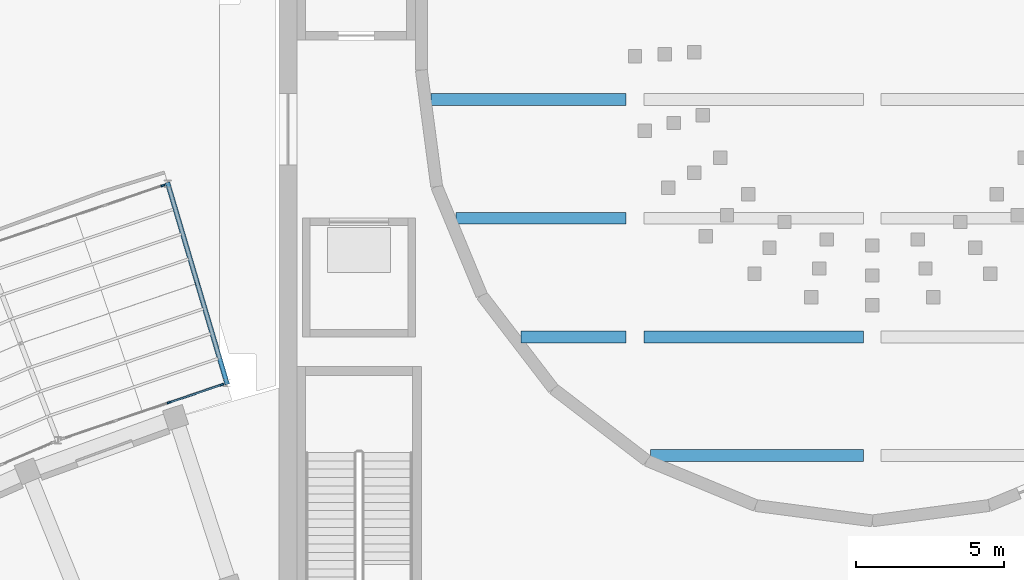
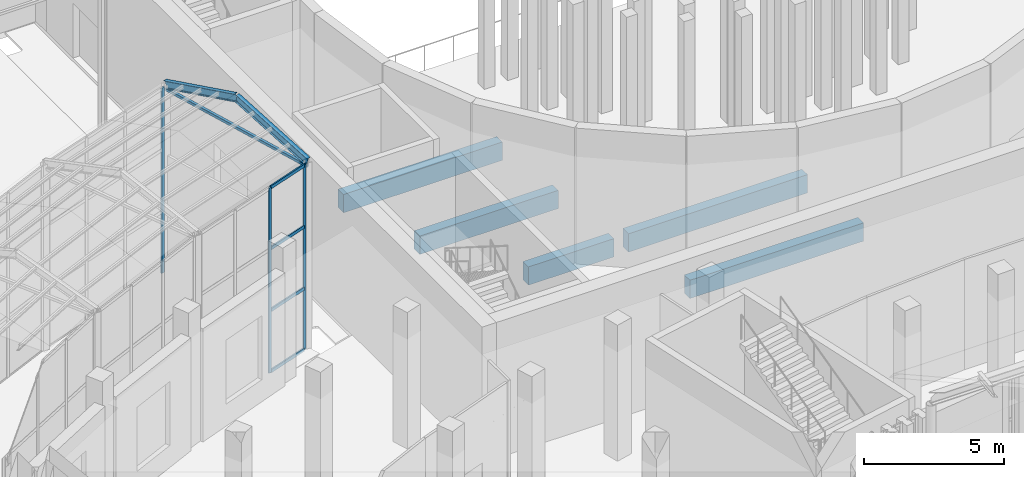
# One storey, part 44 of 155: 8 beams, 7 members, 2 elements without a shape of their own.
"""IFC4 building model written with IfcOpenShell, lengths in metres."""

from ifc_helpers import new_model, si_unit, direction, frame, origin, origin_2d, place, context, subcontext, project, spatial, rectangle, hollow_rectangle, i_section, extrude, material, layer, layer_set, material_profile, profile_set, type_object, element, aggregate, save


model = new_model("IFC4")

# Units and contexts
model_context = context("Model", 3, precision=1e-05, world=origin(), true_north=direction((0.0, 1.0)))
body_context = subcontext(model_context, "Body", "Model", "MODEL_VIEW")
ifc_project = project(units=[si_unit("LENGTHUNIT", "METRE"), si_unit("AREAUNIT", "SQUARE_METRE"), si_unit("VOLUMEUNIT", "CUBIC_METRE"), si_unit("PLANEANGLEUNIT", "RADIAN"), si_unit("MASSUNIT", "GRAM", prefix="KILO")], contexts=[model_context])

# Site, building, storey
site_placement = place(None, origin())
site = spatial("IfcSite", under=ifc_project, at=site_placement, CompositionType="ELEMENT")
building_placement = place(site_placement, origin())
building = spatial("IfcBuilding", under=site, at=building_placement, Name="Lunette Opera House", CompositionType="ELEMENT")
storey_placement = place(building_placement, origin())
storey = spatial("IfcBuildingStorey", under=building, at=storey_placement, Name="L00", CompositionType="ELEMENT", Elevation=0.0)

# Curtain wall, members
ifc_material_1 = material(Name="Aluminium", Category="aluminium")
ifc_layer = layer(ifc_material_1, 0.139892578125)
ifc_layer_set = layer_set([ifc_layer], Name="Aluminium")
curtain_wall_type = type_object("IfcCurtainWallType", Name="PASSAGE CURTAIN WALL", PredefinedType="NOTDEFINED", material=ifc_layer_set)
curtain_wall_1_placement = place(storey_placement, origin())
curtain_wall_1 = element("IfcCurtainWall", 1, at=curtain_wall_1_placement, inside=storey, type_object=curtain_wall_type, Name="Passage Curtain Wall WI3 L00", PredefinedType="NOTDEFINED")
ifc_material_2 = material(Name="Aluminium", Category="aluminium")
ifc_material_profile_1 = material_profile(ifc_material_2, rectangle(XDim=0.06005859375, YDim=0.139892578125, at=origin_2d()), Name="MULLION 60 X 140")
ifc_profile_set_1 = profile_set([ifc_material_profile_1], Name="Aluminium")
member_type_1 = type_object("IfcMemberType", Name="MULLION 60 X 140", PredefinedType="MULLION", material=ifc_profile_set_1)
member_1_placement = place(storey_placement, frame((72.29833984375, 72.785400390625, 0.0), z_axis=(0.0, 0.0, 1.0), x_axis=(-0.321629789721, 0.946865501729, 0.0)))
member_1 = element("IfcMember", 2, at=member_1_placement, type_object=member_type_1, Name="PP-X2015 mullion 3", PredefinedType="MULLION", context=body_context, shape_type="SweptSolid", body=[
    extrude(rectangle(XDim=0.06005859375, YDim=0.139892578125, at=origin_2d()), origin(), (0.0, 0.0, 1.0), 8.10009765625),
])
member_2_placement = place(storey_placement, frame((74.073486328125, 73.388427734375, 0.0), z_axis=(0.0, 0.0, 1.0), x_axis=(-0.321629789721, 0.946865501729, 0.0)))
member_2 = element("IfcMember", 3, at=member_2_placement, type_object=member_type_1, Name="PP-X2015 mullion 4", PredefinedType="MULLION", context=body_context, shape_type="SweptSolid", body=[
    extrude(rectangle(XDim=0.06005859375, YDim=0.139892578125, at=origin_2d()), origin(), (0.0, 0.0, 1.0), 8.10009765625),
])

# Curtain wall, member
curtain_wall_2_placement = place(storey_placement, origin())
curtain_wall_2 = element("IfcCurtainWall", 4, at=curtain_wall_2_placement, inside=storey, type_object=curtain_wall_type, Name="Passage Curtain Wall WO3 L00", PredefinedType="NOTDEFINED")
member_3_placement = place(storey_placement, frame((72.085693359375, 80.099365234375, 0.0), z_axis=(0.0, 0.0, 1.0), x_axis=(-0.32149061205, 0.946912765974, 0.0)))
member_3 = element("IfcMember", 5, at=member_3_placement, type_object=member_type_1, Name="PP-X2018 mullion 4", PredefinedType="MULLION", context=body_context, shape_type="SweptSolid", body=[
    extrude(rectangle(XDim=0.06005859375, YDim=0.139892578125, at=origin_2d()), origin(), (0.0, 0.0, 1.0), 8.10009765625),
])
aggregate(curtain_wall_2, [member_3])

# Beams
ifc_material_3 = material(Name="Concrete C35/45", Category="concrete")
ifc_material_profile_2 = material_profile(ifc_material_3, rectangle(XDim=0.39990234375, YDim=0.800048828125, at=origin_2d()), Name="RC BEAM 400X800")
ifc_profile_set_2 = profile_set([ifc_material_profile_2], Name="Concrete C35/45")
beam_type_1 = type_object("IfcBeamType", Name="RC BEAM 400X800", PredefinedType="BEAM", material=ifc_profile_set_2)
beam_1_placement = place(storey_placement, frame((88.52392578125, 71.0, -0.85595703125), z_axis=(1.0, 0.0, 0.0), x_axis=(0.0, 1.0, 0.0)))
element("IfcBeam", 6, at=beam_1_placement, inside=storey, type_object=beam_type_1, Name="beam-AU-L00-ST71-1", PredefinedType="BEAM", context=body_context, shape_type="SweptSolid", body=[
    extrude(rectangle(XDim=0.39990234375, YDim=0.800048828125, at=origin_2d()), origin(), (0.0, 0.0, 1.0), 7.176025390625),
])
beam_2_placement = place(storey_placement, frame((84.159912109375, 75.0, -1.1689453125), z_axis=(1.0, 0.0, 0.0), x_axis=(0.0, 1.0, 0.0)))
element("IfcBeam", 7, at=beam_2_placement, inside=storey, type_object=beam_type_1, Name="beam-AU-L00-ST75-1", PredefinedType="BEAM", context=body_context, shape_type="SweptSolid", body=[
    extrude(rectangle(XDim=0.39990234375, YDim=0.800048828125, at=origin_2d()), origin(), (0.0, 0.0, 1.0), 3.5400390625),
])
beam_3_placement = place(storey_placement, frame((88.300048828125, 75.0, -1.1689453125), z_axis=(1.0, 0.0, 0.0), x_axis=(0.0, 1.0, 0.0)))
element("IfcBeam", 8, at=beam_3_placement, inside=storey, type_object=beam_type_1, Name="beam-AU-L00-ST75-2", PredefinedType="BEAM", context=body_context, shape_type="SweptSolid", body=[
    extrude(rectangle(XDim=0.39990234375, YDim=0.800048828125, at=origin_2d()), origin(), (0.0, 0.0, 1.0), 7.39990234375),
])
beam_4_placement = place(storey_placement, frame((81.97412109375, 79.0, -1.48095703125), z_axis=(1.0, 0.0, 0.0), x_axis=(0.0, 1.0, 0.0)))
element("IfcBeam", 9, at=beam_4_placement, inside=storey, type_object=beam_type_1, Name="beam-AU-L00-ST79-1", PredefinedType="BEAM", context=body_context, shape_type="SweptSolid", body=[
    extrude(rectangle(XDim=0.39990234375, YDim=0.800048828125, at=origin_2d()), origin(), (0.0, 0.0, 1.0), 5.725830078125),
])
beam_5_placement = place(storey_placement, frame((81.132080078125, 83.0, -1.7939453125), z_axis=(1.0, 0.0, 0.0), x_axis=(0.0, 1.0, 0.0)))
element("IfcBeam", 10, at=beam_5_placement, inside=storey, type_object=beam_type_1, Name="beam-AU-L00-ST83-1", PredefinedType="BEAM", context=body_context, shape_type="SweptSolid", body=[
    extrude(rectangle(XDim=0.39990234375, YDim=0.800048828125, at=origin_2d()), origin(), (0.0, 0.0, 1.0), 6.56787109375),
])
ifc_material_4 = material(Name="Steel S355", Category="steel")
ifc_material_profile_3 = material_profile(ifc_material_4, i_section(OverallWidth=0.159912109375, OverallDepth=0.330078125, WebThickness=0.007568359375, FlangeThickness=0.011474609375, FilletRadius=0.01806640625, at=origin_2d()), Name="IPE 330")
ifc_profile_set_3 = profile_set([ifc_material_profile_3], Name="Steel S355")
beam_type_2 = type_object("IfcBeamType", Name="STEEL BEAM IPE 330", PredefinedType="BEAM", material=ifc_profile_set_3)
beam_6_placement = place(storey_placement, frame((74.243896484375, 73.446044921875, 8.14990234375), z_axis=(-0.270901042593, 0.914715237406, 0.299847727321), x_axis=(-0.958833993455, -0.283967204085, 0.0)))
element("IfcBeam", 11, at=beam_6_placement, inside=storey, type_object=beam_type_2, Name="beam-PP-L00-RF4A", PredefinedType="BEAM", context=body_context, shape_type="SweptSolid", body=[
    extrude(i_section(OverallWidth=0.159912109375, OverallDepth=0.330078125, WebThickness=0.007568359375, FlangeThickness=0.011474609375, FilletRadius=0.01806640625, at=origin_2d()), origin(), (0.0, 0.0, 1.0), 3.6689453125),
])
beam_7_placement = place(storey_placement, frame((72.256103515625, 80.156982421875, 8.14990234375), z_axis=(0.270967014887, -0.914671755974, 0.299920748975), x_axis=(0.958811485411, 0.28404319292, 0.0)))
element("IfcBeam", 12, at=beam_7_placement, inside=storey, type_object=beam_type_2, Name="beam-PP-L00-RF4B", PredefinedType="BEAM", context=body_context, shape_type="SweptSolid", body=[
    extrude(i_section(OverallWidth=0.159912109375, OverallDepth=0.330078125, WebThickness=0.007568359375, FlangeThickness=0.011474609375, FilletRadius=0.01806640625, at=origin_2d()), origin(), (0.0, 0.0, 1.0), 3.66796875),
])
ifc_material_5 = material(Name="Steel S355", Category="steel")
ifc_material_profile_4 = material_profile(ifc_material_5, hollow_rectangle(XDim=0.1201171875, YDim=0.1201171875, WallThickness=0.006103515625, InnerFilletRadius=0.006103515625, OuterFilletRadius=0.011962890625, at=origin_2d()), Name="RHS 120X120X6")
ifc_profile_set_4 = profile_set([ifc_material_profile_4], Name="Steel S355")
beam_type_3 = type_object("IfcBeamType", Name="STEEL BEAM RHS 120X120X6", PredefinedType="BEAM", material=ifc_profile_set_4)
beam_8_placement = place(storey_placement, frame((74.243896484375, 73.446044921875, 7.949951171875), z_axis=(-0.284005193643, 0.958822741691, 0.0), x_axis=(-0.958822741691, -0.284005193643, 0.0)))
element("IfcBeam", 13, at=beam_8_placement, inside=storey, type_object=beam_type_3, Name="beam-PP-L00-TI4", PredefinedType="BEAM", context=body_context, shape_type="SweptSolid", body=[
    extrude(hollow_rectangle(XDim=0.1201171875, YDim=0.1201171875, WallThickness=0.006103515625, InnerFilletRadius=0.006103515625, OuterFilletRadius=0.011962890625, at=origin_2d()), origin(), (0.0, 0.0, 1.0), 6.9990234375),
])

# Member
ifc_material_6 = material(Name="Aluminium", Category="aluminium")
ifc_material_profile_5 = material_profile(ifc_material_6, rectangle(XDim=0.06005859375, YDim=0.139892578125, at=origin_2d()), Name="TRANSOM 60 X 140")
ifc_profile_set_5 = profile_set([ifc_material_profile_5], Name="Aluminium")
member_type_2 = type_object("IfcMemberType", Name="TRANSOM 60 X 140", PredefinedType="USERDEFINED", material=ifc_profile_set_5)
member_4_placement = place(storey_placement, frame((72.32666015625, 72.794921875, 0.030029296875), z_axis=(0.946865357883, 0.321630213198, 0.0), x_axis=(-0.321630213198, 0.946865357883, 0.0)))
member_4 = element("IfcMember", 14, at=member_4_placement, type_object=member_type_2, Name="PP-X2015 transom 3.1", ObjectType="TRANSOM", PredefinedType="USERDEFINED", context=body_context, shape_type="SweptSolid", body=[
    extrude(rectangle(XDim=0.06005859375, YDim=0.139892578125, at=origin_2d()), origin(), (0.0, 0.0, 1.0), 1.81494140625),
])

member_5_placement = place(storey_placement, frame((72.32666015625, 72.794921875, 2.699951171875), z_axis=(0.946865357883, 0.321630213198, 0.0), x_axis=(-0.321630213198, 0.946865357883, 0.0)))
member_5 = element("IfcMember", 15, at=member_5_placement, type_object=member_type_2, Name="PP-X2015 transom 3.2", ObjectType="TRANSOM", PredefinedType="USERDEFINED", context=body_context, shape_type="SweptSolid", body=[
    extrude(rectangle(XDim=0.06005859375, YDim=0.139892578125, at=origin_2d()), origin(), (0.0, 0.0, 1.0), 1.81494140625),
])

member_6_placement = place(storey_placement, frame((72.32666015625, 72.794921875, 5.39990234375), z_axis=(0.946865357883, 0.321630213198, 0.0), x_axis=(-0.321630213198, 0.946865357883, 0.0)))
member_6 = element("IfcMember", 16, at=member_6_placement, type_object=member_type_2, Name="PP-X2015 transom 3.3", ObjectType="TRANSOM", PredefinedType="USERDEFINED", context=body_context, shape_type="SweptSolid", body=[
    extrude(rectangle(XDim=0.06005859375, YDim=0.139892578125, at=origin_2d()), origin(), (0.0, 0.0, 1.0), 1.81494140625),
])

member_7_placement = place(storey_placement, frame((72.32666015625, 72.794921875, 8.070068359375), z_axis=(0.946865357883, 0.321630213198, 0.0), x_axis=(-0.321630213198, 0.946865357883, 0.0)))
member_7 = element("IfcMember", 17, at=member_7_placement, type_object=member_type_2, Name="PP-X2015 transom 3.4", ObjectType="TRANSOM", PredefinedType="USERDEFINED", context=body_context, shape_type="SweptSolid", body=[
    extrude(rectangle(XDim=0.06005859375, YDim=0.139892578125, at=origin_2d()), origin(), (0.0, 0.0, 1.0), 1.81494140625),
])

aggregate(curtain_wall_1, [member_1, member_2, member_4, member_5, member_6, member_7])

save(model, "model.ifc")
